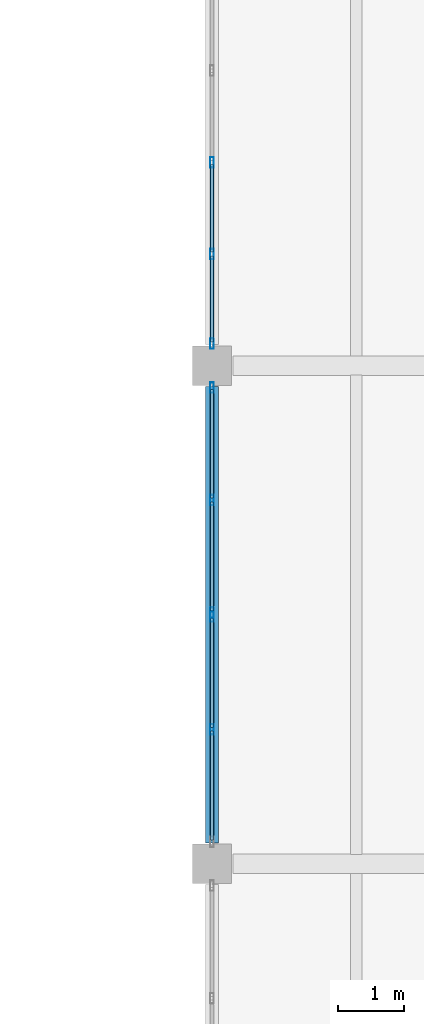
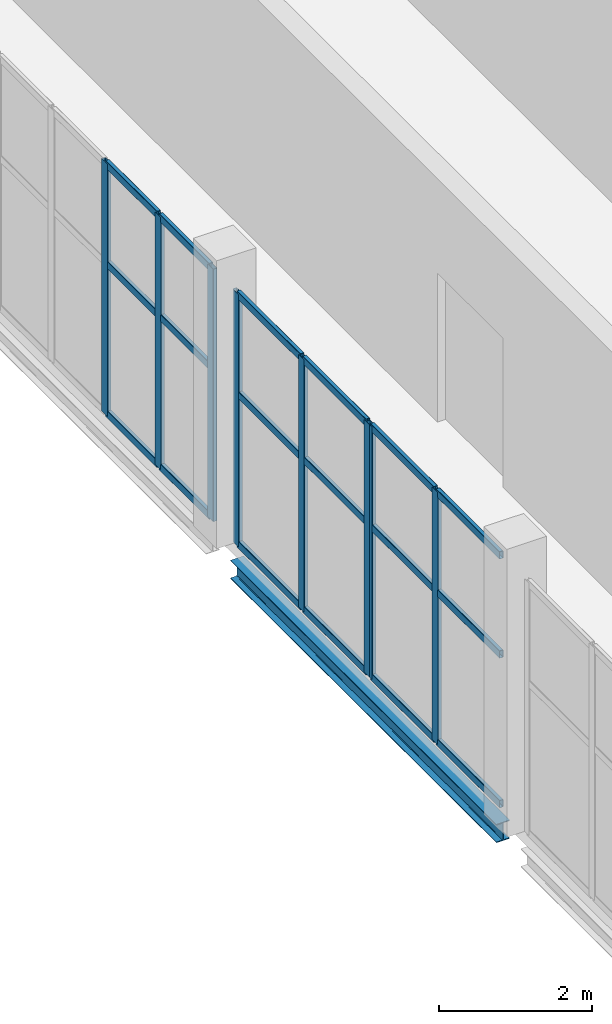
# One storey, part 73 of 136: 26 members, 1 beam, 3 elements without a shape of their own.
"""IFC4 building model written with IfcOpenShell, lengths in metres."""

from ifc_helpers import new_model, si_unit, direction, frame, origin, origin_2d, place, context, subcontext, project, spatial, hollow_rectangle, i_section, extrude, material, material_profile, profile_set, type_object, element, aggregate, save


model = new_model("IFC4")

# Units and contexts
model_context = context("Model", 3, precision=1e-05, world=origin(), true_north=direction((0.0, 1.0)))
body_context = subcontext(model_context, "Body", "Model", "MODEL_VIEW")
ifc_project = project(units=[si_unit("LENGTHUNIT", "METRE"), si_unit("AREAUNIT", "SQUARE_METRE"), si_unit("VOLUMEUNIT", "CUBIC_METRE"), si_unit("PLANEANGLEUNIT", "RADIAN"), si_unit("MASSUNIT", "GRAM", prefix="KILO")], contexts=[model_context])

# Site, building, storey
site_placement = place(None, origin())
site = spatial("IfcSite", under=ifc_project, at=site_placement, CompositionType="ELEMENT")
building_placement = place(site_placement, origin())
building = spatial("IfcBuilding", under=site, at=building_placement, Name="Shengluoqiao Park Theatre", CompositionType="ELEMENT")
storey_placement = place(building_placement, frame((0.0, 0.0, 10.0)))
storey = spatial("IfcBuildingStorey", under=building, at=storey_placement, Name="L02", CompositionType="ELEMENT", Elevation=10.0)

# Curtain wall, members
ifc_material_1 = material(Name="Aluminium 6063-T6", Category="aluminium")
curtain_wall_type = type_object("IfcCurtainWallType", Name="ENV-CW-COURT", PredefinedType="NOTDEFINED", material=ifc_material_1)
curtain_wall_1_placement = place(storey_placement, origin())
curtain_wall_1 = element("IfcCurtainWall", 1, at=curtain_wall_1_placement, inside=storey, type_object=curtain_wall_type, Name="L02 Curtain Wall CWX-L02-0192", PredefinedType="NOTDEFINED")
ifc_material_profile_1 = material_profile(ifc_material_1, hollow_rectangle(XDim=0.06005859375, YDim=0.159912109375, WallThickness=0.00390625, InnerFilletRadius=0.00390625, OuterFilletRadius=0.008056640625, at=origin_2d()), Name="ALU MULLION 160x60x4")
ifc_profile_set_1 = profile_set([ifc_material_profile_1], Name="Aluminium 6063-T6")
member_type_1 = type_object("IfcMemberType", Name="ENV-MUL-160", PredefinedType="MULLION", material=ifc_profile_set_1)
member_1_placement = place(storey_placement, frame((157.199951171875, 32.451904296875, 0.0), z_axis=(0.0, 0.0, 1.0), x_axis=(-1.0, 0.0, 0.0)))
member_1 = element("IfcMember", 2, at=member_1_placement, type_object=member_type_1, Name="CW-05 mullion 2", PredefinedType="MULLION", context=body_context, shape_type="SweptSolid", body=[
    extrude(hollow_rectangle(XDim=0.06005859375, YDim=0.159912109375, WallThickness=0.00390625, InnerFilletRadius=0.00390625, OuterFilletRadius=0.008056640625, at=origin_2d()), origin(), (0.0, 0.0, 1.0), 4.033935546875),
])
member_2_placement = place(storey_placement, frame((157.199951171875, 34.169921875, 0.0), z_axis=(0.0, 0.0, 1.0), x_axis=(-1.0, 0.0, 0.0)))
member_2 = element("IfcMember", 3, at=member_2_placement, type_object=member_type_1, Name="CW-05 mullion 3", PredefinedType="MULLION", context=body_context, shape_type="SweptSolid", body=[
    extrude(hollow_rectangle(XDim=0.06005859375, YDim=0.159912109375, WallThickness=0.00390625, InnerFilletRadius=0.00390625, OuterFilletRadius=0.008056640625, at=origin_2d()), origin(), (0.0, 0.0, 1.0), 4.033935546875),
])

curtain_wall_2_placement = place(storey_placement, origin())
curtain_wall_2 = element("IfcCurtainWall", 4, at=curtain_wall_2_placement, inside=storey, type_object=curtain_wall_type, Name="L02 Curtain Wall CWX-L02-0193", PredefinedType="NOTDEFINED")
member_3_placement = place(storey_placement, frame((157.199951171875, 34.22998046875, 0.0), z_axis=(0.0, 0.0, 1.0), x_axis=(-1.0, 0.0, 0.0)))
member_3 = element("IfcMember", 5, at=member_3_placement, type_object=member_type_1, Name="CW-05 mullion 1", PredefinedType="MULLION", context=body_context, shape_type="SweptSolid", body=[
    extrude(hollow_rectangle(XDim=0.06005859375, YDim=0.159912109375, WallThickness=0.00390625, InnerFilletRadius=0.00390625, OuterFilletRadius=0.008056640625, at=origin_2d()), origin(), (0.0, 0.0, 1.0), 4.033935546875),
])
member_4_placement = place(storey_placement, frame((157.199951171875, 35.947998046875, 0.0), z_axis=(0.0, 0.0, 1.0), x_axis=(-1.0, 0.0, 0.0)))
member_4 = element("IfcMember", 6, at=member_4_placement, type_object=member_type_1, Name="CW-05 mullion 2", PredefinedType="MULLION", context=body_context, shape_type="SweptSolid", body=[
    extrude(hollow_rectangle(XDim=0.06005859375, YDim=0.159912109375, WallThickness=0.00390625, InnerFilletRadius=0.00390625, OuterFilletRadius=0.008056640625, at=origin_2d()), origin(), (0.0, 0.0, 1.0), 4.033935546875),
])
member_5_placement = place(storey_placement, frame((157.199951171875, 37.666015625, 0.0), z_axis=(0.0, 0.0, 1.0), x_axis=(-1.0, 0.0, 0.0)))
member_5 = element("IfcMember", 7, at=member_5_placement, type_object=member_type_1, Name="CW-05 mullion 3", PredefinedType="MULLION", context=body_context, shape_type="SweptSolid", body=[
    extrude(hollow_rectangle(XDim=0.06005859375, YDim=0.159912109375, WallThickness=0.00390625, InnerFilletRadius=0.00390625, OuterFilletRadius=0.008056640625, at=origin_2d()), origin(), (0.0, 0.0, 1.0), 4.033935546875),
])

curtain_wall_3_placement = place(storey_placement, origin())
curtain_wall_3 = element("IfcCurtainWall", 8, at=curtain_wall_3_placement, inside=storey, type_object=curtain_wall_type, Name="L02 Curtain Wall CWX-L02-0194", PredefinedType="NOTDEFINED")
member_6_placement = place(storey_placement, frame((157.199951171875, 38.333984375, 0.0), z_axis=(0.0, 0.0, 1.0), x_axis=(-1.0, 0.0, 0.0)))
member_6 = element("IfcMember", 9, at=member_6_placement, type_object=member_type_1, Name="CW-05 mullion 1", PredefinedType="MULLION", context=body_context, shape_type="SweptSolid", body=[
    extrude(hollow_rectangle(XDim=0.06005859375, YDim=0.159912109375, WallThickness=0.00390625, InnerFilletRadius=0.00390625, OuterFilletRadius=0.008056640625, at=origin_2d()), origin(), (0.0, 0.0, 1.0), 4.033935546875),
])
member_7_placement = place(storey_placement, frame((157.199951171875, 39.702392578125, 0.0), z_axis=(0.0, 0.0, 1.0), x_axis=(-1.0, 0.0, 0.0)))
member_7 = element("IfcMember", 10, at=member_7_placement, type_object=member_type_1, Name="CW-05 mullion 2", PredefinedType="MULLION", context=body_context, shape_type="SweptSolid", body=[
    extrude(hollow_rectangle(XDim=0.06005859375, YDim=0.159912109375, WallThickness=0.00390625, InnerFilletRadius=0.00390625, OuterFilletRadius=0.008056640625, at=origin_2d()), origin(), (0.0, 0.0, 1.0), 4.033935546875),
])
member_8_placement = place(storey_placement, frame((157.199951171875, 41.100830078125, 0.0), z_axis=(0.0, 0.0, 1.0), x_axis=(-1.0, 0.0, 0.0)))
member_8 = element("IfcMember", 11, at=member_8_placement, type_object=member_type_1, Name="CW-05 mullion 3", PredefinedType="MULLION", context=body_context, shape_type="SweptSolid", body=[
    extrude(hollow_rectangle(XDim=0.06005859375, YDim=0.159912109375, WallThickness=0.00390625, InnerFilletRadius=0.00390625, OuterFilletRadius=0.008056640625, at=origin_2d()), origin(), (0.0, 0.0, 1.0), 4.033935546875),
])

# Member
ifc_material_profile_2 = material_profile(ifc_material_1, hollow_rectangle(XDim=0.06005859375, YDim=0.1201171875, WallThickness=0.00390625, InnerFilletRadius=0.00390625, OuterFilletRadius=0.008056640625, at=origin_2d()), Name="ALU TRANSOM 120x60x4")
ifc_profile_set_2 = profile_set([ifc_material_profile_2], Name="Aluminium 6063-T6")
member_type_2 = type_object("IfcMemberType", Name="ENV-TRN-120", PredefinedType="USERDEFINED", material=ifc_profile_set_2)
member_9_placement = place(storey_placement, frame((157.199951171875, 30.763916015625, 0.030029296875), z_axis=(0.0, 1.0, 0.0), x_axis=(-1.0, 0.0, 0.0)))
member_9 = element("IfcMember", 12, at=member_9_placement, type_object=member_type_2, Name="CW-05 transom 1.1", ObjectType="TRANSOM", PredefinedType="USERDEFINED", context=body_context, shape_type="SweptSolid", body=[
    extrude(hollow_rectangle(XDim=0.06005859375, YDim=0.1201171875, WallThickness=0.00390625, InnerFilletRadius=0.00390625, OuterFilletRadius=0.008056640625, at=origin_2d()), origin(), (0.0, 0.0, 1.0), 1.658203125),
])

member_10_placement = place(storey_placement, frame((157.199951171875, 30.763916015625, 2.419921875), z_axis=(0.0, 1.0, 0.0), x_axis=(-1.0, 0.0, 0.0)))
member_10 = element("IfcMember", 13, at=member_10_placement, type_object=member_type_2, Name="CW-05 transom 1.2", ObjectType="TRANSOM", PredefinedType="USERDEFINED", context=body_context, shape_type="SweptSolid", body=[
    extrude(hollow_rectangle(XDim=0.06005859375, YDim=0.1201171875, WallThickness=0.00390625, InnerFilletRadius=0.00390625, OuterFilletRadius=0.008056640625, at=origin_2d()), origin(), (0.0, 0.0, 1.0), 1.658203125),
])

member_11_placement = place(storey_placement, frame((157.199951171875, 30.763916015625, 4.00390625), z_axis=(0.0, 1.0, 0.0), x_axis=(-1.0, 0.0, 0.0)))
member_11 = element("IfcMember", 14, at=member_11_placement, type_object=member_type_2, Name="CW-05 transom 1.3", ObjectType="TRANSOM", PredefinedType="USERDEFINED", context=body_context, shape_type="SweptSolid", body=[
    extrude(hollow_rectangle(XDim=0.06005859375, YDim=0.1201171875, WallThickness=0.00390625, InnerFilletRadius=0.00390625, OuterFilletRadius=0.008056640625, at=origin_2d()), origin(), (0.0, 0.0, 1.0), 1.658203125),
])

member_12_placement = place(storey_placement, frame((157.199951171875, 32.48193359375, 0.030029296875), z_axis=(0.0, 1.0, 0.0), x_axis=(-1.0, 0.0, 0.0)))
member_12 = element("IfcMember", 15, at=member_12_placement, type_object=member_type_2, Name="CW-05 transom 2.1", ObjectType="TRANSOM", PredefinedType="USERDEFINED", context=body_context, shape_type="SweptSolid", body=[
    extrude(hollow_rectangle(XDim=0.06005859375, YDim=0.1201171875, WallThickness=0.00390625, InnerFilletRadius=0.00390625, OuterFilletRadius=0.008056640625, at=origin_2d()), origin(), (0.0, 0.0, 1.0), 1.657958984375),
])

member_13_placement = place(storey_placement, frame((157.199951171875, 32.48193359375, 2.419921875), z_axis=(0.0, 1.0, 0.0), x_axis=(-1.0, 0.0, 0.0)))
member_13 = element("IfcMember", 16, at=member_13_placement, type_object=member_type_2, Name="CW-05 transom 2.2", ObjectType="TRANSOM", PredefinedType="USERDEFINED", context=body_context, shape_type="SweptSolid", body=[
    extrude(hollow_rectangle(XDim=0.06005859375, YDim=0.1201171875, WallThickness=0.00390625, InnerFilletRadius=0.00390625, OuterFilletRadius=0.008056640625, at=origin_2d()), origin(), (0.0, 0.0, 1.0), 1.657958984375),
])

member_14_placement = place(storey_placement, frame((157.199951171875, 32.48193359375, 4.00390625), z_axis=(0.0, 1.0, 0.0), x_axis=(-1.0, 0.0, 0.0)))
member_14 = element("IfcMember", 17, at=member_14_placement, type_object=member_type_2, Name="CW-05 transom 2.3", ObjectType="TRANSOM", PredefinedType="USERDEFINED", context=body_context, shape_type="SweptSolid", body=[
    extrude(hollow_rectangle(XDim=0.06005859375, YDim=0.1201171875, WallThickness=0.00390625, InnerFilletRadius=0.00390625, OuterFilletRadius=0.008056640625, at=origin_2d()), origin(), (0.0, 0.0, 1.0), 1.657958984375),
])

aggregate(curtain_wall_1, [member_1, member_2, member_9, member_10, member_11, member_12, member_13, member_14])

member_15_placement = place(storey_placement, frame((157.199951171875, 34.260009765625, 0.030029296875), z_axis=(0.0, 1.0, 0.0), x_axis=(-1.0, 0.0, 0.0)))
member_15 = element("IfcMember", 18, at=member_15_placement, type_object=member_type_2, Name="CW-05 transom 1.1", ObjectType="TRANSOM", PredefinedType="USERDEFINED", context=body_context, shape_type="SweptSolid", body=[
    extrude(hollow_rectangle(XDim=0.06005859375, YDim=0.1201171875, WallThickness=0.00390625, InnerFilletRadius=0.00390625, OuterFilletRadius=0.008056640625, at=origin_2d()), origin(), (0.0, 0.0, 1.0), 1.657958984375),
])

member_16_placement = place(storey_placement, frame((157.199951171875, 34.260009765625, 2.419921875), z_axis=(0.0, 1.0, 0.0), x_axis=(-1.0, 0.0, 0.0)))
member_16 = element("IfcMember", 19, at=member_16_placement, type_object=member_type_2, Name="CW-05 transom 1.2", ObjectType="TRANSOM", PredefinedType="USERDEFINED", context=body_context, shape_type="SweptSolid", body=[
    extrude(hollow_rectangle(XDim=0.06005859375, YDim=0.1201171875, WallThickness=0.00390625, InnerFilletRadius=0.00390625, OuterFilletRadius=0.008056640625, at=origin_2d()), origin(), (0.0, 0.0, 1.0), 1.657958984375),
])

member_17_placement = place(storey_placement, frame((157.199951171875, 34.260009765625, 4.00390625), z_axis=(0.0, 1.0, 0.0), x_axis=(-1.0, 0.0, 0.0)))
member_17 = element("IfcMember", 20, at=member_17_placement, type_object=member_type_2, Name="CW-05 transom 1.3", ObjectType="TRANSOM", PredefinedType="USERDEFINED", context=body_context, shape_type="SweptSolid", body=[
    extrude(hollow_rectangle(XDim=0.06005859375, YDim=0.1201171875, WallThickness=0.00390625, InnerFilletRadius=0.00390625, OuterFilletRadius=0.008056640625, at=origin_2d()), origin(), (0.0, 0.0, 1.0), 1.657958984375),
])

member_18_placement = place(storey_placement, frame((157.199951171875, 35.97802734375, 0.030029296875), z_axis=(0.0, 1.0, 0.0), x_axis=(-1.0, 0.0, 0.0)))
member_18 = element("IfcMember", 21, at=member_18_placement, type_object=member_type_2, Name="CW-05 transom 2.1", ObjectType="TRANSOM", PredefinedType="USERDEFINED", context=body_context, shape_type="SweptSolid", body=[
    extrude(hollow_rectangle(XDim=0.06005859375, YDim=0.1201171875, WallThickness=0.00390625, InnerFilletRadius=0.00390625, OuterFilletRadius=0.008056640625, at=origin_2d()), origin(), (0.0, 0.0, 1.0), 1.657958984375),
])

member_19_placement = place(storey_placement, frame((157.199951171875, 35.97802734375, 2.419921875), z_axis=(0.0, 1.0, 0.0), x_axis=(-1.0, 0.0, 0.0)))
member_19 = element("IfcMember", 22, at=member_19_placement, type_object=member_type_2, Name="CW-05 transom 2.2", ObjectType="TRANSOM", PredefinedType="USERDEFINED", context=body_context, shape_type="SweptSolid", body=[
    extrude(hollow_rectangle(XDim=0.06005859375, YDim=0.1201171875, WallThickness=0.00390625, InnerFilletRadius=0.00390625, OuterFilletRadius=0.008056640625, at=origin_2d()), origin(), (0.0, 0.0, 1.0), 1.657958984375),
])

member_20_placement = place(storey_placement, frame((157.199951171875, 35.97802734375, 4.00390625), z_axis=(0.0, 1.0, 0.0), x_axis=(-1.0, 0.0, 0.0)))
member_20 = element("IfcMember", 23, at=member_20_placement, type_object=member_type_2, Name="CW-05 transom 2.3", ObjectType="TRANSOM", PredefinedType="USERDEFINED", context=body_context, shape_type="SweptSolid", body=[
    extrude(hollow_rectangle(XDim=0.06005859375, YDim=0.1201171875, WallThickness=0.00390625, InnerFilletRadius=0.00390625, OuterFilletRadius=0.008056640625, at=origin_2d()), origin(), (0.0, 0.0, 1.0), 1.657958984375),
])

aggregate(curtain_wall_2, [member_3, member_4, member_5, member_15, member_16, member_17, member_18, member_19, member_20])

member_21_placement = place(storey_placement, frame((157.199951171875, 38.364013671875, 0.030029296875), z_axis=(0.0, 1.0, 0.0), x_axis=(-1.0, 0.0, 0.0)))
member_21 = element("IfcMember", 24, at=member_21_placement, type_object=member_type_2, Name="CW-05 transom 1.1", ObjectType="TRANSOM", PredefinedType="USERDEFINED", context=body_context, shape_type="SweptSolid", body=[
    extrude(hollow_rectangle(XDim=0.06005859375, YDim=0.1201171875, WallThickness=0.00390625, InnerFilletRadius=0.00390625, OuterFilletRadius=0.008056640625, at=origin_2d()), origin(), (0.0, 0.0, 1.0), 1.308349609375),
])

member_22_placement = place(storey_placement, frame((157.199951171875, 38.364013671875, 2.419921875), z_axis=(0.0, 1.0, 0.0), x_axis=(-1.0, 0.0, 0.0)))
member_22 = element("IfcMember", 25, at=member_22_placement, type_object=member_type_2, Name="CW-05 transom 1.2", ObjectType="TRANSOM", PredefinedType="USERDEFINED", context=body_context, shape_type="SweptSolid", body=[
    extrude(hollow_rectangle(XDim=0.06005859375, YDim=0.1201171875, WallThickness=0.00390625, InnerFilletRadius=0.00390625, OuterFilletRadius=0.008056640625, at=origin_2d()), origin(), (0.0, 0.0, 1.0), 1.308349609375),
])

member_23_placement = place(storey_placement, frame((157.199951171875, 38.364013671875, 4.00390625), z_axis=(0.0, 1.0, 0.0), x_axis=(-1.0, 0.0, 0.0)))
member_23 = element("IfcMember", 26, at=member_23_placement, type_object=member_type_2, Name="CW-05 transom 1.3", ObjectType="TRANSOM", PredefinedType="USERDEFINED", context=body_context, shape_type="SweptSolid", body=[
    extrude(hollow_rectangle(XDim=0.06005859375, YDim=0.1201171875, WallThickness=0.00390625, InnerFilletRadius=0.00390625, OuterFilletRadius=0.008056640625, at=origin_2d()), origin(), (0.0, 0.0, 1.0), 1.308349609375),
])

member_24_placement = place(storey_placement, frame((157.199951171875, 39.732421875, 0.030029296875), z_axis=(0.0, 1.0, 0.0), x_axis=(-1.0, 0.0, 0.0)))
member_24 = element("IfcMember", 27, at=member_24_placement, type_object=member_type_2, Name="CW-05 transom 2.1", ObjectType="TRANSOM", PredefinedType="USERDEFINED", context=body_context, shape_type="SweptSolid", body=[
    extrude(hollow_rectangle(XDim=0.06005859375, YDim=0.1201171875, WallThickness=0.00390625, InnerFilletRadius=0.00390625, OuterFilletRadius=0.008056640625, at=origin_2d()), origin(), (0.0, 0.0, 1.0), 1.33837890625),
])

member_25_placement = place(storey_placement, frame((157.199951171875, 39.732421875, 2.419921875), z_axis=(0.0, 1.0, 0.0), x_axis=(-1.0, 0.0, 0.0)))
member_25 = element("IfcMember", 28, at=member_25_placement, type_object=member_type_2, Name="CW-05 transom 2.2", ObjectType="TRANSOM", PredefinedType="USERDEFINED", context=body_context, shape_type="SweptSolid", body=[
    extrude(hollow_rectangle(XDim=0.06005859375, YDim=0.1201171875, WallThickness=0.00390625, InnerFilletRadius=0.00390625, OuterFilletRadius=0.008056640625, at=origin_2d()), origin(), (0.0, 0.0, 1.0), 1.33837890625),
])

member_26_placement = place(storey_placement, frame((157.199951171875, 39.732421875, 4.00390625), z_axis=(0.0, 1.0, 0.0), x_axis=(-1.0, 0.0, 0.0)))
member_26 = element("IfcMember", 29, at=member_26_placement, type_object=member_type_2, Name="CW-05 transom 2.3", ObjectType="TRANSOM", PredefinedType="USERDEFINED", context=body_context, shape_type="SweptSolid", body=[
    extrude(hollow_rectangle(XDim=0.06005859375, YDim=0.1201171875, WallThickness=0.00390625, InnerFilletRadius=0.00390625, OuterFilletRadius=0.008056640625, at=origin_2d()), origin(), (0.0, 0.0, 1.0), 1.33837890625),
])

aggregate(curtain_wall_3, [member_6, member_7, member_8, member_21, member_22, member_23, member_24, member_25, member_26])

# Beam
ifc_material_2 = material(Name="Steel Q355", Category="steel")
ifc_material_profile_3 = material_profile(ifc_material_2, i_section(OverallWidth=0.199951171875, OverallDepth=0.2939453125, WebThickness=0.008056640625, FlangeThickness=0.011962890625, FilletRadius=0.01611328125, at=origin_2d()), Name="HM 294x200x8x12")
ifc_profile_set_3 = profile_set([ifc_material_profile_3], Name="Steel Q355")
beam_type = type_object("IfcBeamType", Name="STR-BM-G-HM294", PredefinedType="BEAM", material=ifc_profile_set_3)
beam_placement = place(storey_placement, frame((157.199951171875, 30.718994140625, -0.386962890625), z_axis=(0.0, 1.0, 0.0), x_axis=(-1.0, 0.0, 0.0)))
element("IfcBeam", 30, at=beam_placement, inside=storey, type_object=beam_type, Name="L02 Transverse Girder 01153", PredefinedType="BEAM", context=body_context, shape_type="SweptSolid", body=[
    extrude(i_section(OverallWidth=0.199951171875, OverallDepth=0.2939453125, WebThickness=0.008056640625, FlangeThickness=0.011962890625, FilletRadius=0.01611328125, at=origin_2d()), origin(), (0.0, 0.0, 1.0), 6.9619140625),
])

save(model, "model.ifc")
